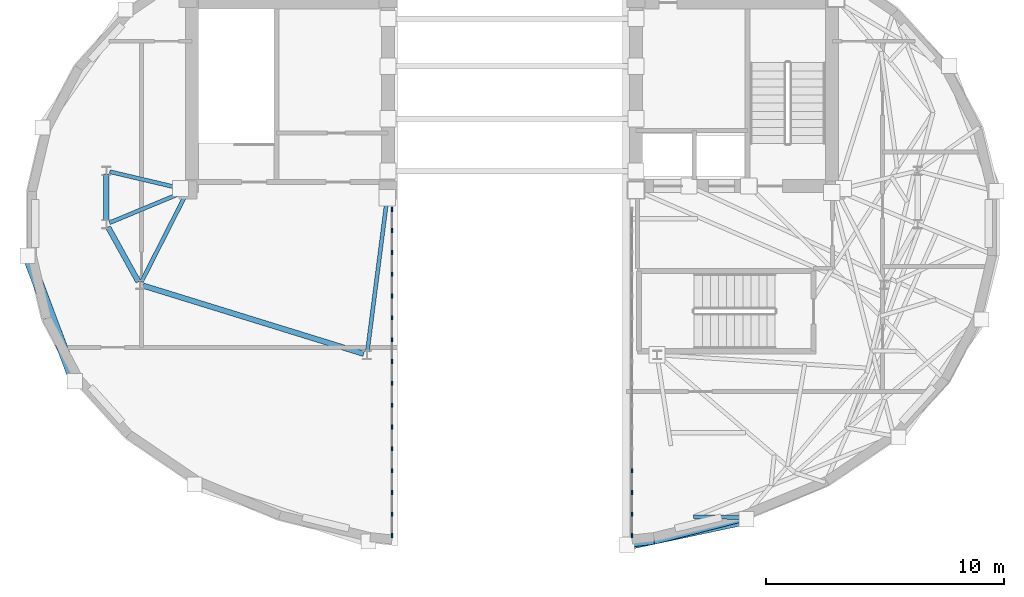
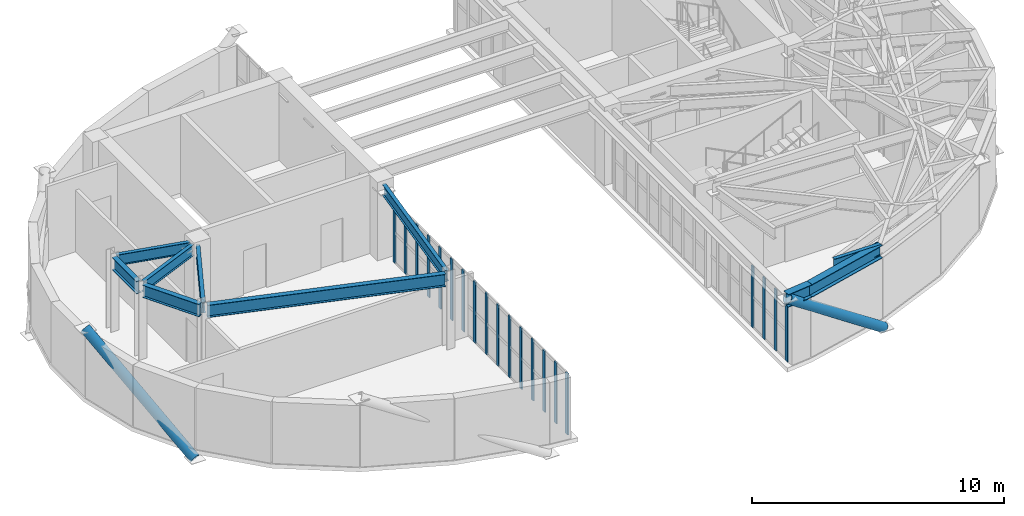
# One storey, part 2 of 13: 22 members, 10 beams, 2 elements without a shape of their own.
"""IFC4 building model written with IfcOpenShell, lengths in metres."""

from ifc_helpers import new_model, si_unit, direction, frame, origin, origin_2d, place, context, subcontext, project, spatial, rectangle, hollow_circle, i_section, extrude, material, layer, layer_set, material_profile, profile_set, type_object, element, aggregate, save


model = new_model("IFC4")

# Units and contexts
model_context = context("Model", 3, precision=1e-05, world=origin(), true_north=direction((0.0, 1.0)))
body_context = subcontext(model_context, "Body", "Model", "MODEL_VIEW")
ifc_project = project(units=[si_unit("LENGTHUNIT", "METRE"), si_unit("AREAUNIT", "SQUARE_METRE"), si_unit("VOLUMEUNIT", "CUBIC_METRE"), si_unit("PLANEANGLEUNIT", "RADIAN"), si_unit("MASSUNIT", "GRAM", prefix="KILO")], contexts=[model_context])

# Site, building, storey
site_placement = place(None, origin())
site = spatial("IfcSite", under=ifc_project, at=site_placement, CompositionType="ELEMENT")
building_placement = place(site_placement, origin())
building = spatial("IfcBuilding", under=site, at=building_placement, Name="Keldmark Tower", CompositionType="ELEMENT")
storey_placement = place(building_placement, frame((0.0, 0.0, 280.60009765625)))
storey = spatial("IfcBuildingStorey", under=building, at=storey_placement, Name="L79", CompositionType="ELEMENT", Elevation=280.60009765625)

# Members
ifc_material_1 = material(Name="Steel ASTM A572 Grade 50", Category="steel")
ifc_material_profile_1 = material_profile(ifc_material_1, hollow_circle(Radius=0.22509765625, WallThickness=0.02197265625, at=origin_2d()), Name="CHS450X22")
ifc_profile_set_1 = profile_set([ifc_material_profile_1], Name="Steel ASTM A572 Grade 50")
member_type_1 = type_object("IfcMemberType", Name="Crown Frame Brace CHS450X22", PredefinedType="USERDEFINED", material=ifc_profile_set_1)
member_1_placement = place(storey_placement, frame((9.84619140625, -12.416015625, -0.4501953125), z_axis=(-0.785744947887, -0.167021022524, 0.59557439074), x_axis=(0.207918572776, -0.978146137903, 0.0)))
element("IfcMember", 1, at=member_1_placement, inside=storey, type_object=member_type_1, Name="L79 Crown Frame Diagonal E12", ObjectType="CROWN FRAME", PredefinedType="USERDEFINED", context=body_context, shape_type="SweptSolid", body=[
    extrude(hollow_circle(Radius=0.22509765625, WallThickness=0.02197265625, at=origin_2d()), origin(), (0.0, 0.0, 1.0), 6.38037109375),
])
member_2_placement = place(storey_placement, frame((-18.353759765625, -6.618408203125, -0.4501953125), z_axis=(-0.291548831832, 0.775773726038, 0.559619875135), x_axis=(-0.936077553227, -0.351793709928, 0.0)))
element("IfcMember", 2, at=member_2_placement, inside=storey, type_object=member_type_1, Name="L79 Crown Frame Diagonal W04", ObjectType="CROWN FRAME", PredefinedType="USERDEFINED", context=body_context, shape_type="SweptSolid", body=[
    extrude(hollow_circle(Radius=0.22509765625, WallThickness=0.02197265625, at=origin_2d()), origin(), (0.0, 0.0, 1.0), 6.79052734375),
])

# Curtain wall, members
ifc_material_2 = material(Name="Unitized Thermally Broken Aluminum and Triple Low-E Glazing", Category="aluminium")
ifc_layer = layer(ifc_material_2, 0.219970703125)
ifc_layer_set = layer_set([ifc_layer], Name="Unitized Thermally Broken Aluminum and Triple Low-E Glazing")
curtain_wall_type = type_object("IfcCurtainWallType", Name="Split-Top Crown Lantern Curtain Wall System", PredefinedType="NOTDEFINED", material=ifc_layer_set)
curtain_wall_1_placement = place(storey_placement, origin())
curtain_wall_1 = element("IfcCurtainWall", 3, at=curtain_wall_1_placement, inside=storey, type_object=curtain_wall_type, Name="L79 Split-Top Crown Lantern Curtain Wall System CW-L79-ES14-1", PredefinedType="NOTDEFINED")
ifc_material_3 = material(Name="Extruded Aluminum Alloy 6063-T6", Category="aluminium")
ifc_material_profile_2 = material_profile(ifc_material_3, rectangle(XDim=0.06005859375, YDim=0.179931640625, at=origin_2d()), Name="CWM60X180")
ifc_profile_set_2 = profile_set([ifc_material_profile_2], Name="Extruded Aluminum Alloy 6063-T6")
member_type_2 = type_object("IfcMemberType", Name="Curtain Wall Structural Mullion 60x180", PredefinedType="MULLION", material=ifc_profile_set_2)
member_3_placement = place(storey_placement, frame((5.0400390625, -10.37548828125, 0.0), z_axis=(0.0, 0.0, 1.0), x_axis=(1.0, 0.0, 0.0)))
member_3 = element("IfcMember", 4, at=member_3_placement, type_object=member_type_2, Name="CW mullion 13", PredefinedType="MULLION", context=body_context, shape_type="SweptSolid", body=[
    extrude(rectangle(XDim=0.06005859375, YDim=0.179931640625, at=origin_2d()), origin(), (0.0, 0.0, 1.0), 2.9658203125),
])
member_4_placement = place(storey_placement, frame((5.0400390625, -11.2919921875, 0.0), z_axis=(0.0, 0.0, 1.0), x_axis=(1.0, 0.0, 0.0)))
member_4 = element("IfcMember", 5, at=member_4_placement, type_object=member_type_2, Name="CW mullion 14", PredefinedType="MULLION", context=body_context, shape_type="SweptSolid", body=[
    extrude(rectangle(XDim=0.06005859375, YDim=0.179931640625, at=origin_2d()), origin(), (0.0, 0.0, 1.0), 2.9658203125),
])
member_5_placement = place(storey_placement, frame((5.0400390625, -12.20849609375, 0.0), z_axis=(0.0, 0.0, 1.0), x_axis=(1.0, 0.0, 0.0)))
member_5 = element("IfcMember", 6, at=member_5_placement, type_object=member_type_2, Name="CW mullion 15", PredefinedType="MULLION", context=body_context, shape_type="SweptSolid", body=[
    extrude(rectangle(XDim=0.06005859375, YDim=0.179931640625, at=origin_2d()), origin(), (0.0, 0.0, 1.0), 2.9658203125),
])
member_6_placement = place(storey_placement, frame((5.0400390625, -13.0947265625, 0.0), z_axis=(0.0, 0.0, 1.0), x_axis=(1.0, 0.0, 0.0)))
member_6 = element("IfcMember", 7, at=member_6_placement, type_object=member_type_2, Name="CW mullion 16", PredefinedType="MULLION", context=body_context, shape_type="SweptSolid", body=[
    extrude(rectangle(XDim=0.06005859375, YDim=0.179931640625, at=origin_2d()), origin(), (0.0, 0.0, 1.0), 2.9658203125),
])
aggregate(curtain_wall_1, [member_3, member_4, member_5, member_6])

curtain_wall_2_placement = place(storey_placement, origin())
curtain_wall_2 = element("IfcCurtainWall", 8, at=curtain_wall_2_placement, inside=storey, type_object=curtain_wall_type, Name="L79 Split-Top Crown Lantern Curtain Wall System CW-L79-WS14-0", PredefinedType="NOTDEFINED")
member_7_placement = place(storey_placement, frame((-5.0400390625, -13.0947265625, 0.0), z_axis=(0.0, 0.0, 1.0), x_axis=(-1.0, 0.0, 0.0)))
member_7 = element("IfcMember", 9, at=member_7_placement, type_object=member_type_2, Name="CW mullion 1", PredefinedType="MULLION", context=body_context, shape_type="SweptSolid", body=[
    extrude(rectangle(XDim=0.06005859375, YDim=0.179931640625, at=origin_2d()), origin(), (0.0, 0.0, 1.0), 2.9658203125),
])
member_8_placement = place(storey_placement, frame((-5.0400390625, -12.20849609375, 0.0), z_axis=(0.0, 0.0, 1.0), x_axis=(-1.0, 0.0, 0.0)))
member_8 = element("IfcMember", 10, at=member_8_placement, type_object=member_type_2, Name="CW mullion 2", PredefinedType="MULLION", context=body_context, shape_type="SweptSolid", body=[
    extrude(rectangle(XDim=0.06005859375, YDim=0.179931640625, at=origin_2d()), origin(), (0.0, 0.0, 1.0), 2.9658203125),
])
member_9_placement = place(storey_placement, frame((-5.0400390625, -11.2919921875, 0.0), z_axis=(0.0, 0.0, 1.0), x_axis=(-1.0, 0.0, 0.0)))
member_9 = element("IfcMember", 11, at=member_9_placement, type_object=member_type_2, Name="CW mullion 3", PredefinedType="MULLION", context=body_context, shape_type="SweptSolid", body=[
    extrude(rectangle(XDim=0.06005859375, YDim=0.179931640625, at=origin_2d()), origin(), (0.0, 0.0, 1.0), 2.9658203125),
])
member_10_placement = place(storey_placement, frame((-5.0400390625, -10.37548828125, 0.0), z_axis=(0.0, 0.0, 1.0), x_axis=(-1.0, 0.0, 0.0)))
member_10 = element("IfcMember", 12, at=member_10_placement, type_object=member_type_2, Name="CW mullion 4", PredefinedType="MULLION", context=body_context, shape_type="SweptSolid", body=[
    extrude(rectangle(XDim=0.06005859375, YDim=0.179931640625, at=origin_2d()), origin(), (0.0, 0.0, 1.0), 2.9658203125),
])
member_11_placement = place(storey_placement, frame((-5.0400390625, -9.459228515625, 0.0), z_axis=(0.0, 0.0, 1.0), x_axis=(-1.0, 0.0, 0.0)))
member_11 = element("IfcMember", 13, at=member_11_placement, type_object=member_type_2, Name="CW mullion 5", PredefinedType="MULLION", context=body_context, shape_type="SweptSolid", body=[
    extrude(rectangle(XDim=0.06005859375, YDim=0.179931640625, at=origin_2d()), origin(), (0.0, 0.0, 1.0), 2.9658203125),
])
member_12_placement = place(storey_placement, frame((-5.0400390625, -8.542724609375, 0.0), z_axis=(0.0, 0.0, 1.0), x_axis=(-1.0, 0.0, 0.0)))
member_12 = element("IfcMember", 14, at=member_12_placement, type_object=member_type_2, Name="CW mullion 6", PredefinedType="MULLION", context=body_context, shape_type="SweptSolid", body=[
    extrude(rectangle(XDim=0.06005859375, YDim=0.179931640625, at=origin_2d()), origin(), (0.0, 0.0, 1.0), 2.9658203125),
])
member_13_placement = place(storey_placement, frame((-5.0400390625, -7.626220703125, 0.0), z_axis=(0.0, 0.0, 1.0), x_axis=(-1.0, 0.0, 0.0)))
member_13 = element("IfcMember", 15, at=member_13_placement, type_object=member_type_2, Name="CW mullion 7", PredefinedType="MULLION", context=body_context, shape_type="SweptSolid", body=[
    extrude(rectangle(XDim=0.06005859375, YDim=0.179931640625, at=origin_2d()), origin(), (0.0, 0.0, 1.0), 2.9658203125),
])
member_14_placement = place(storey_placement, frame((-5.0400390625, -6.7099609375, 0.0), z_axis=(0.0, 0.0, 1.0), x_axis=(-1.0, 0.0, 0.0)))
member_14 = element("IfcMember", 16, at=member_14_placement, type_object=member_type_2, Name="CW mullion 8", PredefinedType="MULLION", context=body_context, shape_type="SweptSolid", body=[
    extrude(rectangle(XDim=0.06005859375, YDim=0.179931640625, at=origin_2d()), origin(), (0.0, 0.0, 1.0), 2.9658203125),
])
member_15_placement = place(storey_placement, frame((-5.0400390625, -5.79345703125, 0.0), z_axis=(0.0, 0.0, 1.0), x_axis=(-1.0, 0.0, 0.0)))
member_15 = element("IfcMember", 17, at=member_15_placement, type_object=member_type_2, Name="CW mullion 9", PredefinedType="MULLION", context=body_context, shape_type="SweptSolid", body=[
    extrude(rectangle(XDim=0.06005859375, YDim=0.179931640625, at=origin_2d()), origin(), (0.0, 0.0, 1.0), 2.9658203125),
])
member_16_placement = place(storey_placement, frame((-5.0400390625, -4.876953125, 0.0), z_axis=(0.0, 0.0, 1.0), x_axis=(-1.0, 0.0, 0.0)))
member_16 = element("IfcMember", 18, at=member_16_placement, type_object=member_type_2, Name="CW mullion 10", PredefinedType="MULLION", context=body_context, shape_type="SweptSolid", body=[
    extrude(rectangle(XDim=0.06005859375, YDim=0.179931640625, at=origin_2d()), origin(), (0.0, 0.0, 1.0), 2.9658203125),
])
member_17_placement = place(storey_placement, frame((-5.0400390625, -3.960693359375, 0.0), z_axis=(0.0, 0.0, 1.0), x_axis=(-1.0, 0.0, 0.0)))
member_17 = element("IfcMember", 19, at=member_17_placement, type_object=member_type_2, Name="CW mullion 11", PredefinedType="MULLION", context=body_context, shape_type="SweptSolid", body=[
    extrude(rectangle(XDim=0.06005859375, YDim=0.179931640625, at=origin_2d()), origin(), (0.0, 0.0, 1.0), 2.9658203125),
])
member_18_placement = place(storey_placement, frame((-5.0400390625, -3.044189453125, 0.0), z_axis=(0.0, 0.0, 1.0), x_axis=(-1.0, 0.0, 0.0)))
member_18 = element("IfcMember", 20, at=member_18_placement, type_object=member_type_2, Name="CW mullion 12", PredefinedType="MULLION", context=body_context, shape_type="SweptSolid", body=[
    extrude(rectangle(XDim=0.06005859375, YDim=0.179931640625, at=origin_2d()), origin(), (0.0, 0.0, 1.0), 2.9658203125),
])
member_19_placement = place(storey_placement, frame((-5.0400390625, -2.127685546875, 0.0), z_axis=(0.0, 0.0, 1.0), x_axis=(-1.0, 0.0, 0.0)))
member_19 = element("IfcMember", 21, at=member_19_placement, type_object=member_type_2, Name="CW mullion 13", PredefinedType="MULLION", context=body_context, shape_type="SweptSolid", body=[
    extrude(rectangle(XDim=0.06005859375, YDim=0.179931640625, at=origin_2d()), origin(), (0.0, 0.0, 1.0), 2.9658203125),
])
member_20_placement = place(storey_placement, frame((-5.0400390625, -1.21142578125, 0.0), z_axis=(0.0, 0.0, 1.0), x_axis=(-1.0, 0.0, 0.0)))
member_20 = element("IfcMember", 22, at=member_20_placement, type_object=member_type_2, Name="CW mullion 14", PredefinedType="MULLION", context=body_context, shape_type="SweptSolid", body=[
    extrude(rectangle(XDim=0.06005859375, YDim=0.179931640625, at=origin_2d()), origin(), (0.0, 0.0, 1.0), 2.9658203125),
])
member_21_placement = place(storey_placement, frame((-5.0400390625, -0.294921875, 0.0), z_axis=(0.0, 0.0, 1.0), x_axis=(-1.0, 0.0, 0.0)))
member_21 = element("IfcMember", 23, at=member_21_placement, type_object=member_type_2, Name="CW mullion 15", PredefinedType="MULLION", context=body_context, shape_type="SweptSolid", body=[
    extrude(rectangle(XDim=0.06005859375, YDim=0.179931640625, at=origin_2d()), origin(), (0.0, 0.0, 1.0), 2.9658203125),
])
member_22_placement = place(storey_placement, frame((-5.0400390625, 0.591552734375, 0.0), z_axis=(0.0, 0.0, 1.0), x_axis=(-1.0, 0.0, 0.0)))
member_22 = element("IfcMember", 24, at=member_22_placement, type_object=member_type_2, Name="CW mullion 16", PredefinedType="MULLION", context=body_context, shape_type="SweptSolid", body=[
    extrude(rectangle(XDim=0.06005859375, YDim=0.179931640625, at=origin_2d()), origin(), (0.0, 0.0, 1.0), 2.9658203125),
])
aggregate(curtain_wall_2, [member_7, member_8, member_9, member_10, member_11, member_12, member_13, member_14, member_15, member_16, member_17, member_18, member_19, member_20, member_21, member_22])

# Beams
ifc_material_4 = material(Name="Steel ASTM A992 Grade 50", Category="steel")
ifc_material_profile_3 = material_profile(ifc_material_4, i_section(OverallWidth=0.22802734375, OverallDepth=0.60302734375, WebThickness=0.010498046875, FlangeThickness=0.014892578125, at=origin_2d()), Name="W24X68")
ifc_profile_set_3 = profile_set([ifc_material_profile_3], Name="Steel ASTM A992 Grade 50")
beam_type_1 = type_object("IfcBeamType", Name="Primary Floor Girder W24X68", PredefinedType="BEAM", material=ifc_profile_set_3)
beam_1_placement = place(storey_placement, frame((-17.025634765625, 2.068115234375, 3.29833984375), z_axis=(0.0, -1.0, 0.0), x_axis=(1.0, 0.0, 0.0)))
element("IfcBeam", 25, at=beam_1_placement, inside=storey, type_object=beam_type_1, Name="L79 Floor Ring Girder FG-R02", PredefinedType="BEAM", context=body_context, shape_type="SweptSolid", body=[
    extrude(i_section(OverallWidth=0.22802734375, OverallDepth=0.60302734375, WebThickness=0.010498046875, FlangeThickness=0.014892578125, at=origin_2d()), origin(), (0.0, 0.0, 1.0), 1.9521484375),
])
beam_2_placement = place(storey_placement, frame((-16.957763671875, -0.146484375, 3.29833984375), z_axis=(0.484719680408, -0.874669555561, 0.0), x_axis=(0.874669555561, 0.484719680408, 0.0)))
element("IfcBeam", 26, at=beam_2_placement, inside=storey, type_object=beam_type_1, Name="L79 Floor Ring Girder FG-R03", PredefinedType="BEAM", context=body_context, shape_type="SweptSolid", body=[
    extrude(i_section(OverallWidth=0.22802734375, OverallDepth=0.60302734375, WebThickness=0.010498046875, FlangeThickness=0.014892578125, at=origin_2d()), origin(), (0.0, 0.0, 1.0), 2.627685546875),
])
beam_3_placement = place(storey_placement, frame((-15.482421875, -2.60888671875, 3.29833984375), z_axis=(0.955383255089, -0.295368982622, 0.0), x_axis=(0.295368982622, 0.955383255089, 0.0)))
element("IfcBeam", 27, at=beam_3_placement, inside=storey, type_object=beam_type_1, Name="L79 Floor Ring Girder FG-R04", PredefinedType="BEAM", context=body_context, shape_type="SweptSolid", body=[
    extrude(i_section(OverallWidth=0.22802734375, OverallDepth=0.60302734375, WebThickness=0.010498046875, FlangeThickness=0.014892578125, at=origin_2d()), origin(), (0.0, 0.0, 1.0), 9.69140625),
])
ifc_material_5 = material(Name="Steel ASTM A992 Grade 50", Category="steel")
ifc_material_profile_4 = material_profile(ifc_material_5, i_section(OverallWidth=0.166015625, OverallDepth=0.529052734375, WebThickness=0.009765625, FlangeThickness=0.013671875, at=origin_2d()), Name="W21X50")
ifc_profile_set_4 = profile_set([ifc_material_profile_4], Name="Steel ASTM A992 Grade 50")
beam_type_2 = type_object("IfcBeamType", Name="Radial Tie Girder W21X50", PredefinedType="BEAM", material=ifc_profile_set_4)
beam_4_placement = place(storey_placement, frame((-16.889404296875, 2.17578125, 3.33544921875), z_axis=(0.97329039005, -0.229577474147, 0.0), x_axis=(0.229577474147, 0.97329039005, 0.0)))
element("IfcBeam", 28, at=beam_4_placement, inside=storey, type_object=beam_type_2, Name="L79 Floor Radial Girder FG-C06", PredefinedType="BEAM", context=body_context, shape_type="SweptSolid", body=[
    extrude(i_section(OverallWidth=0.166015625, OverallDepth=0.529052734375, WebThickness=0.009765625, FlangeThickness=0.013671875, at=origin_2d()), origin(), (0.0, 0.0, 1.0), 3.0595703125),
])
beam_5_placement = place(storey_placement, frame((-16.896240234375, 0.02978515625, 3.33544921875), z_axis=(0.923403331902, 0.383831065226, 0.0), x_axis=(-0.383831065226, 0.923403331902, 0.0)))
element("IfcBeam", 29, at=beam_5_placement, inside=storey, type_object=beam_type_2, Name="L79 Floor Radial Girder FG-C07", PredefinedType="BEAM", context=body_context, shape_type="SweptSolid", body=[
    extrude(i_section(OverallWidth=0.166015625, OverallDepth=0.529052734375, WebThickness=0.009765625, FlangeThickness=0.013671875, at=origin_2d()), origin(), (0.0, 0.0, 1.0), 3.249755859375),
])
beam_6_placement = place(storey_placement, frame((-15.552734375, -2.442626953125, 3.33544921875), z_axis=(0.453004410574, 0.89150827478, 0.0), x_axis=(-0.89150827478, 0.453004410574, 0.0)))
element("IfcBeam", 30, at=beam_6_placement, inside=storey, type_object=beam_type_2, Name="L79 Floor Radial Girder FG-C08", PredefinedType="BEAM", context=body_context, shape_type="SweptSolid", body=[
    extrude(i_section(OverallWidth=0.166015625, OverallDepth=0.529052734375, WebThickness=0.009765625, FlangeThickness=0.013671875, at=origin_2d()), origin(), (0.0, 0.0, 1.0), 3.990234375),
])
beam_7_placement = place(storey_placement, frame((-6.071533203125, -5.3740234375, 3.33544921875), z_axis=(0.127625044513, 0.991822488157, 0.0), x_axis=(-0.991822488157, 0.127625044513, 0.0)))
element("IfcBeam", 31, at=beam_7_placement, inside=storey, type_object=beam_type_2, Name="L79 Floor Radial Girder FG-C09", PredefinedType="BEAM", context=body_context, shape_type="SweptSolid", body=[
    extrude(i_section(OverallWidth=0.166015625, OverallDepth=0.529052734375, WebThickness=0.009765625, FlangeThickness=0.013671875, at=origin_2d()), origin(), (0.0, 0.0, 1.0), 6.509765625),
])
beam_8_placement = place(storey_placement, frame((7.62744140625, -12.310791015625, 3.33544921875), z_axis=(0.999882200018, -0.015348813862, 0.0), x_axis=(0.015348813862, 0.999882200018, 0.0)))
element("IfcBeam", 32, at=beam_8_placement, inside=storey, type_object=beam_type_2, Name="L79 Crown Step Collector Chord CRT-E14RP2", PredefinedType="BEAM", context=body_context, shape_type="SweptSolid", body=[
    extrude(i_section(OverallWidth=0.166015625, OverallDepth=0.529052734375, WebThickness=0.009765625, FlangeThickness=0.013671875, at=origin_2d()), origin(), (0.0, 0.0, 1.0), 2.099609375),
])
ifc_material_6 = material(Name="Steel ASTM A992 Grade 50", Category="steel")
ifc_material_profile_5 = material_profile(ifc_material_6, i_section(OverallWidth=0.326904296875, OverallDepth=0.6220703125, WebThickness=0.015380859375, FlangeThickness=0.0244140625, at=origin_2d()), Name="W24X131")
ifc_profile_set_5 = profile_set([ifc_material_profile_5], Name="Steel ASTM A992 Grade 50")
beam_type_3 = type_object("IfcBeamType", Name="Spandrel Ring Beam W24X131", PredefinedType="SPANDREL", material=ifc_profile_set_5)
beam_9_placement = place(storey_placement, frame((9.726806640625, -12.343017578125, 3.288818359375), z_axis=(-0.969008066435, -0.247029081655, 0.0), x_axis=(0.247029081655, -0.969008066435, 0.0)))
element("IfcBeam", 33, at=beam_9_placement, inside=storey, type_object=beam_type_3, Name="L79 Crown Spandrel Ring Beam CRB-E13", PredefinedType="SPANDREL", context=body_context, shape_type="SweptSolid", body=[
    extrude(i_section(OverallWidth=0.326904296875, OverallDepth=0.6220703125, WebThickness=0.015380859375, FlangeThickness=0.0244140625, at=origin_2d()), origin(), (0.0, 0.0, 1.0), 3.89697265625),
])
beam_10_placement = place(storey_placement, frame((5.95068359375, -13.3056640625, 3.288818359375), z_axis=(-0.993283742489, -0.115703962365, 0.0), x_axis=(0.115703962365, -0.993283742489, 0.0)))
element("IfcBeam", 34, at=beam_10_placement, inside=storey, type_object=beam_type_3, Name="L79 Crown Spandrel Ring Beam CRB-E14", PredefinedType="SPANDREL", context=body_context, shape_type="SweptSolid", body=[
    extrude(i_section(OverallWidth=0.326904296875, OverallDepth=0.6220703125, WebThickness=0.015380859375, FlangeThickness=0.0244140625, at=origin_2d()), origin(), (0.0, 0.0, 1.0), 1.158447265625),
])

save(model, "model.ifc")
